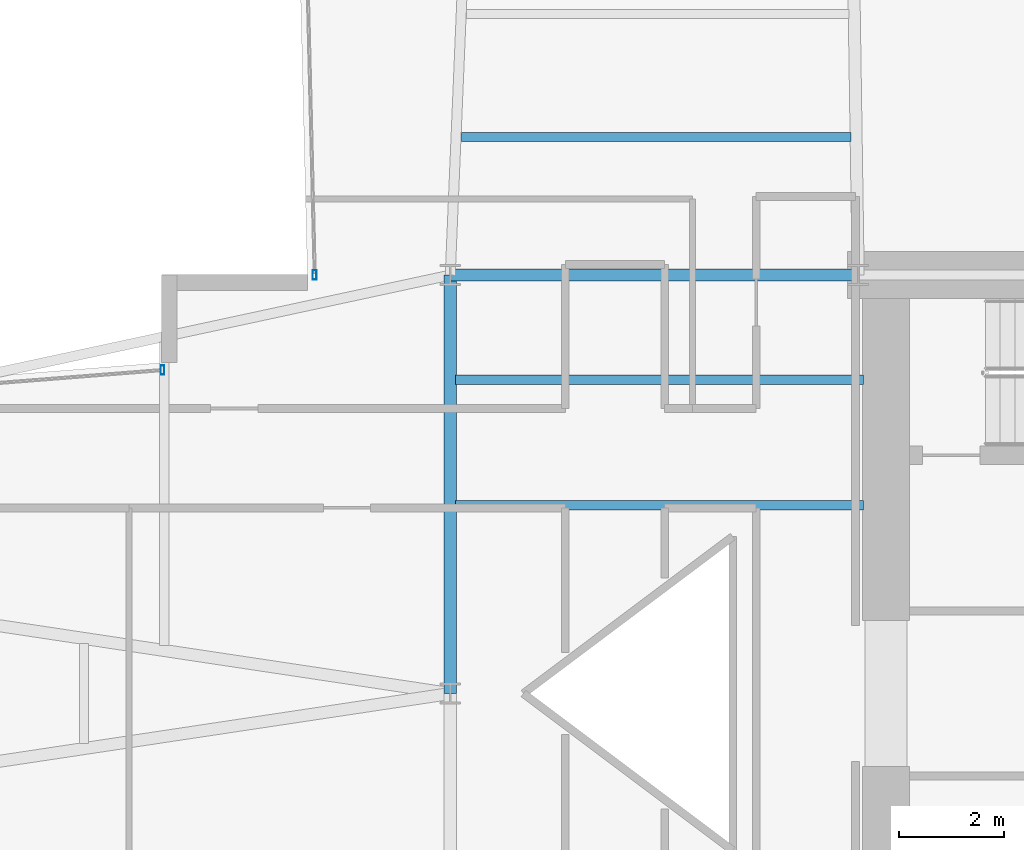
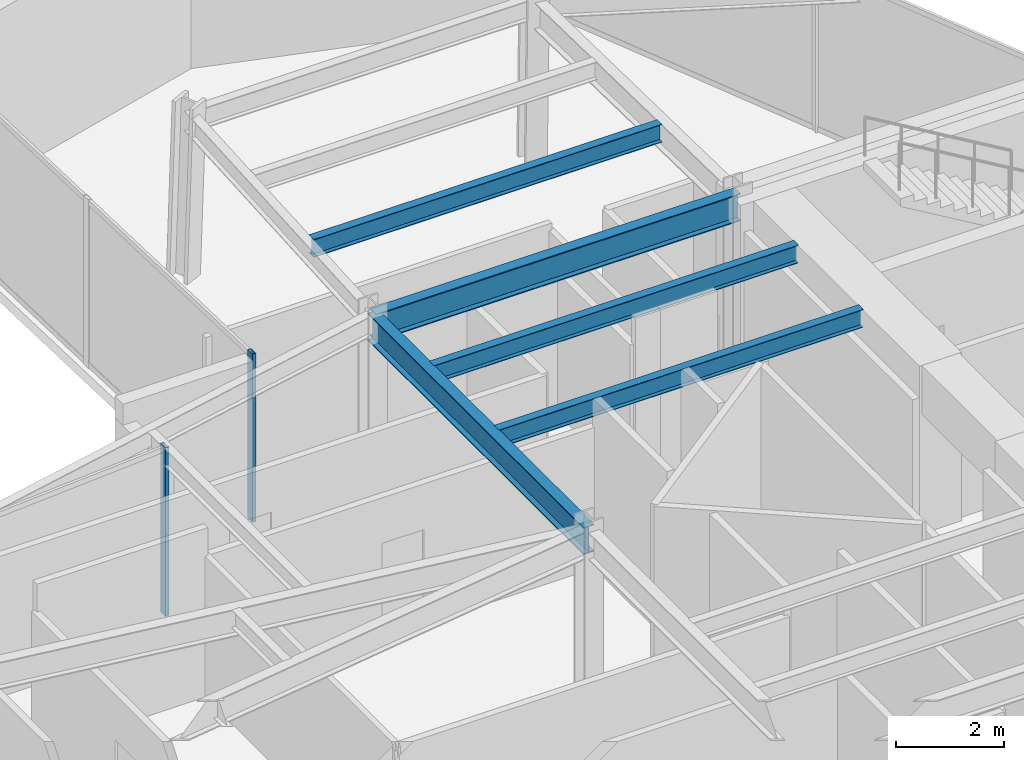
# One storey, part 9 of 25: 5 beams, 2 members, 2 elements without a shape of their own.
"""IFC4 building model written with IfcOpenShell, lengths in metres."""

import ifcopenshell
import ifcopenshell.guid

model = None  # the IFC model being written
_history = None  # IfcOwnerHistory: only IFC2X3 demands one
_inside = {}  # id of a spatial element -> (the spatial element, [elements in it])
_under = {}  # id of a project, library or spatial element -> (it, [spatial elements below it])
_declared = {}  # id of a project -> (the project, [libraries it declares])
_typed = {}  # id of a type object -> (the type object, [elements of that type])
_made_of = {}  # id of a material, layer set ... -> (it, [elements and type objects made of it])


def new_model(schema):
    """Start an empty IFC model of exactly this schema.

    Asked for "IFC4X3", IfcOpenShell would pick the latest addendum, in which some entities
    have other attributes; the version numbers below select the first issue.
    IFC2X3 requires an IfcOwnerHistory on every rooted entity: one is made here for all.
    """
    global model, _history
    if schema == "IFC4X3":
        model = ifcopenshell.file(schema_version=(4, 3, 0, 0))
    else:
        model = ifcopenshell.file(schema=schema)
    _inside.clear()
    _under.clear()
    _declared.clear()
    _typed.clear()
    _made_of.clear()
    _history = None
    if model.schema == "IFC2X3":
        org = make("IfcOrganization", Name="unknown")
        user = make(
            "IfcPersonAndOrganization",
            ThePerson=make("IfcPerson", FamilyName="unknown"),
            TheOrganization=org,
        )
        app = make(
            "IfcApplication",
            ApplicationDeveloper=org,
            Version="unknown",
            ApplicationFullName="unknown",
            ApplicationIdentifier="unknown",
        )
        _history = make(
            "IfcOwnerHistory",
            OwningUser=user,
            OwningApplication=app,
            ChangeAction="ADDED",
            CreationDate=0,
        )
    return model


def make(cls, **values):
    """One entity of the class cls with the attributes given. An attribute that is None is left unset."""
    return model.create_entity(
        cls, **{name: value for name, value in values.items() if value is not None}
    )


def rooted(cls, **values):
    """An entity with a GlobalId (a new one), such as an element, a storey or a relation."""
    return make(cls, GlobalId=ifcopenshell.guid.new(), OwnerHistory=_history, **values)


def si_unit(unit_type, name, prefix=None):
    """IfcSIUnit, for example si_unit("LENGTHUNIT", "METRE", prefix="MILLI")."""
    return make("IfcSIUnit", UnitType=unit_type, Prefix=prefix, Name=name)


def assignment(units):
    """IfcUnitAssignment: the units of a project."""
    return None if units is None else make("IfcUnitAssignment", Units=units)


def point(xyz):
    """IfcCartesianPoint."""
    return None if xyz is None else make("IfcCartesianPoint", Coordinates=xyz)


def direction(xyz):
    """IfcDirection."""
    return None if xyz is None else make("IfcDirection", DirectionRatios=xyz)


def frame(location, z_axis=None, x_axis=None):
    """IfcAxis2Placement3D, a coordinate frame: its origin and axes. An axis left out is left unset."""
    return make(
        "IfcAxis2Placement3D",
        Location=point(location),
        Axis=direction(z_axis),
        RefDirection=direction(x_axis),
    )


def frame_2d(location, x_axis=None):
    """IfcAxis2Placement2D, a coordinate frame in the plane: its origin and x axis."""
    return make(
        "IfcAxis2Placement2D", Location=point(location), RefDirection=direction(x_axis)
    )


def origin():
    """The frame at (0, 0, 0) with its axes left unset."""
    return frame((0.0, 0.0, 0.0))


def origin_2d():
    """The frame at (0, 0) in the plane with its x axis left unset."""
    return frame_2d((0.0, 0.0))


def place(relative_to, where):
    """IfcLocalPlacement: puts the frame where relative to a parent placement (None: the world)."""
    return make(
        "IfcLocalPlacement", PlacementRelTo=relative_to, RelativePlacement=where
    )


def context(
    kind, dimensions, precision=None, world=None, true_north=None, identifier=None
):
    """IfcGeometricRepresentationContext, for example the 3D "Model" context."""
    return make(
        "IfcGeometricRepresentationContext",
        ContextIdentifier=identifier,
        ContextType=kind,
        CoordinateSpaceDimension=dimensions,
        Precision=precision,
        WorldCoordinateSystem=world,
        TrueNorth=true_north,
    )


def subcontext(parent, identifier, kind, view, scale=None):
    """IfcGeometricRepresentationSubContext, for example "Body" below "Model"."""
    return make(
        "IfcGeometricRepresentationSubContext",
        ContextIdentifier=identifier,
        ContextType=kind,
        ParentContext=parent,
        TargetScale=scale,
        TargetView=view,
    )


def project(units=None, contexts=None):
    """IfcProject with its units and contexts."""
    return rooted(
        "IfcProject",
        Name="project",
        RepresentationContexts=contexts,
        UnitsInContext=assignment(units),
    )


def spatial(cls, under=None, at=None, **own):
    """A site, building, storey or space (cls), placed at a placement, below another one or the project."""
    s = rooted(cls, ObjectPlacement=at, **own)
    if under is not None:
        _under.setdefault(under.id(), (under, []))[1].append(s)
    return s


def profile(cls, at=None, kind="AREA", **sizes):
    """A parametric profile (cls). Its sizes go by their IFC names, for example OverallWidth=200.0."""
    return make(cls, ProfileType=kind, Position=at, **sizes)


def hollow_rectangle(**sizes):
    """IfcRectangleHollowProfileDef."""
    return profile("IfcRectangleHollowProfileDef", **sizes)


def i_section(**sizes):
    """IfcIShapeProfileDef."""
    return profile("IfcIShapeProfileDef", **sizes)


def extrude(swept, where, along, depth):
    """IfcExtrudedAreaSolid: the profile swept, set in the frame where, extruded along a direction by depth."""
    return make(
        "IfcExtrudedAreaSolid",
        SweptArea=swept,
        Position=where,
        ExtrudedDirection=direction(along),
        Depth=depth,
    )


def shape(context_of_items, identifier, shape_type, items):
    """IfcShapeRepresentation: the items that make up one representation, for example the "Body"."""
    return make(
        "IfcShapeRepresentation",
        ContextOfItems=context_of_items,
        RepresentationIdentifier=identifier,
        RepresentationType=shape_type,
        Items=items,
    )


def material(Name=None, Category=None):
    """IfcMaterial."""
    return make("IfcMaterial", Name=Name, Category=Category)


def layer(
    of_material, thickness, ventilated=None, Name=None, Category=None, Priority=None
):
    """IfcMaterialLayer: one layer of a wall or slab, of a material (None: an air gap)."""
    return make(
        "IfcMaterialLayer",
        Material=of_material,
        LayerThickness=thickness,
        IsVentilated=ventilated,
        Name=Name,
        Category=Category,
        Priority=Priority,
    )


def layer_set(layers, Name=None):
    """IfcMaterialLayerSet."""
    return make("IfcMaterialLayerSet", MaterialLayers=layers, LayerSetName=Name)


def material_profile(
    of_material, cross_section, Name=None, Category=None, Priority=None
):
    """IfcMaterialProfile: a cross section and its material."""
    return make(
        "IfcMaterialProfile",
        Name=Name,
        Material=of_material,
        Profile=cross_section,
        Priority=Priority,
        Category=Category,
    )


def profile_set(profiles, Name=None, composite=None):
    """IfcMaterialProfileSet."""
    return make(
        "IfcMaterialProfileSet",
        Name=Name,
        MaterialProfiles=profiles,
        CompositeProfile=composite,
    )


def made_of(thing, what):
    """Note that an element or type object is made of a material, layer set ...; save() writes the relation."""
    if what is not None:
        _made_of.setdefault(what.id(), (what, []))[1].append(thing)
    return thing


def type_object(cls, material=None, **own):
    """A type object (cls), such as IfcWallType, which elements share."""
    return made_of(rooted(cls, **own), material)


def element(
    cls,
    number,
    at=None,
    inside=None,
    cuts=None,
    type_object=None,
    material=None,
    context=None,
    identifier="Body",
    shape_type=None,
    held_by="IfcProductDefinitionShape",
    body=None,
    shapes=None,
    **own,
):
    """One element of the class cls, such as IfcWall. Its Tag is "e" and its number.

    at: its placement. inside: the storey or other place that contains it. cuts: it is an
    opening in that element (IfcRelVoidsElement). A single representation is given by context,
    identifier, shape_type and body (its items); several are given by shapes. held_by: the class
    of the entity that holds the representations. save() writes the other relations.
    """
    e = rooted(cls, Tag="e%d" % number, ObjectPlacement=at, **own)
    if body is not None:
        shapes = [shape(context, identifier, shape_type, body)]
    if shapes is not None:
        e.Representation = make(held_by, Representations=shapes)
    if inside is not None:
        _inside.setdefault(inside.id(), (inside, []))[1].append(e)
    if cuts is not None:
        rooted(
            "IfcRelVoidsElement", RelatingBuildingElement=cuts, RelatedOpeningElement=e
        )
    if type_object is not None:
        _typed.setdefault(type_object.id(), (type_object, []))[1].append(e)
    return made_of(e, material)


def aggregate(whole, parts):
    """IfcRelAggregates: a whole, such as a stair, and the parts it consists of."""
    return rooted("IfcRelAggregates", RelatingObject=whole, RelatedObjects=parts)


def save(model, path):
    """Write the relations noted so far, then the file.

    IfcRelAggregates (storeys below a building ...), IfcRelContainedInSpatialStructure (elements
    in a storey), IfcRelDefinesByType, IfcRelAssociatesMaterial and IfcRelDeclares: one each for
    every whole, place, type object, material and project.
    """
    for whole, parts in _under.values():
        aggregate(whole, parts)
    for where, things in _inside.values():
        rooted(
            "IfcRelContainedInSpatialStructure",
            RelatedElements=things,
            RelatingStructure=where,
        )
    for kind, things in _typed.values():
        rooted("IfcRelDefinesByType", RelatedObjects=things, RelatingType=kind)
    for what, things in _made_of.values():
        rooted("IfcRelAssociatesMaterial", RelatedObjects=things, RelatingMaterial=what)
    for by, libraries in _declared.values():
        rooted("IfcRelDeclares", RelatingContext=by, RelatedDefinitions=libraries)
    model.write(path)


model = new_model("IFC4")

# Units and contexts
model_context = context("Model", 3, precision=1e-05, world=origin(), true_north=direction((0.0, 1.0)))
body_context = subcontext(model_context, "Body", "Model", "MODEL_VIEW")
ifc_project = project(units=[si_unit("LENGTHUNIT", "METRE"), si_unit("AREAUNIT", "SQUARE_METRE"), si_unit("VOLUMEUNIT", "CUBIC_METRE"), si_unit("PLANEANGLEUNIT", "RADIAN"), si_unit("MASSUNIT", "GRAM", prefix="KILO")], contexts=[model_context])

# Site, building, storey
site_placement = place(None, origin())
site = spatial("IfcSite", under=ifc_project, at=site_placement, CompositionType="ELEMENT")
building_placement = place(site_placement, origin())
building = spatial("IfcBuilding", under=site, at=building_placement, Name="Veymaron Broadcast Tower", CompositionType="ELEMENT")
storey_placement = place(building_placement, frame((0.0, 0.0, 82.35009765625)))
storey = spatial("IfcBuildingStorey", under=building, at=storey_placement, Name="L18", CompositionType="ELEMENT", Elevation=82.35009765625)

# Beams
ifc_material_1 = material(Name="Structural steel ASTM A992 Gr 50", Category="steel")
ifc_material_profile_1 = material_profile(ifc_material_1, i_section(OverallWidth=0.22998046875, OverallDepth=0.616943359375, WebThickness=0.01318359375, FlangeThickness=0.022216796875, at=origin_2d()), Name="W610X140")
ifc_profile_set_1 = profile_set([ifc_material_profile_1], Name="Structural steel ASTM A992 Gr 50")
beam_type_1 = type_object("IfcBeamType", Name="BM-FG1", PredefinedType="BEAM", material=ifc_profile_set_1)
beam_1_placement = place(storey_placement, frame((31.199951171875, 24.0, 3.50146484375), z_axis=(0.0, 1.0, 0.0), x_axis=(-1.0, 0.0, 0.0)))
element("IfcBeam", 1, at=beam_1_placement, inside=storey, type_object=beam_type_1, Name="L18 primary structural floor girder", PredefinedType="BEAM", context=body_context, shape_type="SweptSolid", body=[
    extrude(i_section(OverallWidth=0.22998046875, OverallDepth=0.616943359375, WebThickness=0.01318359375, FlangeThickness=0.022216796875, at=origin_2d()), origin(), (0.0, 0.0, 1.0), 8.0),
])
beam_2_placement = place(storey_placement, frame((31.199951171875, 32.0, 3.50146484375), z_axis=(1.0, 0.0, 0.0), x_axis=(0.0, 1.0, 0.0)))
element("IfcBeam", 2, at=beam_2_placement, inside=storey, type_object=beam_type_1, Name="L18 primary structural floor girder", PredefinedType="BEAM", context=body_context, shape_type="SweptSolid", body=[
    extrude(i_section(OverallWidth=0.22998046875, OverallDepth=0.616943359375, WebThickness=0.01318359375, FlangeThickness=0.022216796875, at=origin_2d()), origin(), (0.0, 0.0, 1.0), 7.800048828125),
])
ifc_material_profile_2 = material_profile(ifc_material_1, i_section(OverallWidth=0.177978515625, OverallDepth=0.406982421875, WebThickness=0.0078125, FlangeThickness=0.0126953125, at=origin_2d()), Name="W410X60")
ifc_profile_set_2 = profile_set([ifc_material_profile_2], Name="Structural steel ASTM A992 Gr 50")
beam_type_2 = type_object("IfcBeamType", Name="BM-JS1", PredefinedType="JOIST", material=ifc_profile_set_2)
beam_3_placement = place(storey_placement, frame((31.410888671875, 34.642333984375, 3.6064453125), z_axis=(1.0, 0.0, 0.0), x_axis=(0.0, 1.0, 0.0)))
element("IfcBeam", 3, at=beam_3_placement, inside=storey, type_object=beam_type_2, Name="L18 Arm-B secondary joist 1", PredefinedType="JOIST", context=body_context, shape_type="SweptSolid", body=[
    extrude(i_section(OverallWidth=0.177978515625, OverallDepth=0.406982421875, WebThickness=0.0078125, FlangeThickness=0.0126953125, at=origin_2d()), origin(), (0.0, 0.0, 1.0), 7.449462890625),
])
for number, where, z_axis, x_axis, name in (
    (4, (31.300048828125, 27.60009765625, 3.6064453125), (1.0, 0.0, 0.0), (0.0, 1.0, 0.0), "L18 Hub secondary joist 3"),
    (5, (31.300048828125, 30.0, 3.6064453125), (1.0, 0.0, 0.0), (0.0, 1.0, 0.0), "L18 Hub secondary joist 4"),
):
    element("IfcBeam", number, at=place(storey_placement, frame(where, z_axis=z_axis, x_axis=x_axis)), inside=storey, type_object=beam_type_2, Name=name, PredefinedType="JOIST", context=body_context, shape_type="SweptSolid", body=[
        extrude(i_section(OverallWidth=0.177978515625, OverallDepth=0.406982421875, WebThickness=0.0078125, FlangeThickness=0.0126953125, at=origin_2d()), origin(), (0.0, 0.0, 1.0), 7.800048828125),
    ])

# Curtain wall, member
ifc_material_2 = material(Name="Anodised aluminium AA 6063-T6 and laminated low-E dark glass", Category="aluminium")
ifc_layer = layer(ifc_material_2, 0.179931640625)
ifc_layer_set = layer_set([ifc_layer], Name="Anodised aluminium AA 6063-T6 and laminated low-E dark glass")
curtain_wall_type = type_object("IfcCurtainWallType", Name="CW-SYS-02", PredefinedType="NOTDEFINED", material=ifc_layer_set)
curtain_wall_1_placement = place(storey_placement, origin())
curtain_wall_1 = element("IfcCurtainWall", 6, at=curtain_wall_1_placement, inside=storey, type_object=curtain_wall_type, Name="L18 dark-glass curtain wall CW-L18-E8-1", PredefinedType="NOTDEFINED")
ifc_material_3 = material(Name="Anodised aluminium AA 6063-T6", Category="aluminium")
ifc_material_profile_3 = material_profile(ifc_material_3, hollow_rectangle(XDim=0.074951171875, YDim=0.179931640625, WallThickness=0.0048828125, at=origin_2d()), Name="AL180X75X5")
ifc_profile_set_3 = profile_set([ifc_material_profile_3], Name="Anodised aluminium AA 6063-T6")
member_type = type_object("IfcMemberType", Name="CW-MUL-02", PredefinedType="MULLION", material=ifc_profile_set_3)
member_1_placement = place(storey_placement, frame((28.6083984375, 32.00341796875, 0.0), z_axis=(0.0, 0.0, 1.0), x_axis=(1.0, 0.0, 0.0)))
member_1 = element("IfcMember", 7, at=member_1_placement, type_object=member_type, Name="CW-L18-E8-1 mullion 2", PredefinedType="MULLION", context=body_context, shape_type="SweptSolid", body=[
    extrude(hollow_rectangle(XDim=0.074951171875, YDim=0.179931640625, WallThickness=0.0048828125, at=origin_2d()), origin(), (0.0, 0.0, 1.0), 3.809814453125),
])
aggregate(curtain_wall_1, [member_1])

curtain_wall_2_placement = place(storey_placement, origin())
curtain_wall_2 = element("IfcCurtainWall", 8, at=curtain_wall_2_placement, inside=storey, type_object=curtain_wall_type, Name="L18 dark-glass curtain wall CW-L18-E11-1", PredefinedType="NOTDEFINED")
member_2_placement = place(storey_placement, frame((25.698974609375, 30.18505859375, 0.0), z_axis=(0.0, 0.0, 1.0), x_axis=(1.0, 0.0, 0.0)))
member_2 = element("IfcMember", 9, at=member_2_placement, type_object=member_type, Name="CW-L18-E11-1 mullion 0", PredefinedType="MULLION", context=body_context, shape_type="SweptSolid", body=[
    extrude(hollow_rectangle(XDim=0.074951171875, YDim=0.179931640625, WallThickness=0.0048828125, at=origin_2d()), origin(), (0.0, 0.0, 1.0), 3.809814453125),
])
aggregate(curtain_wall_2, [member_2])

save(model, "model.ifc")
